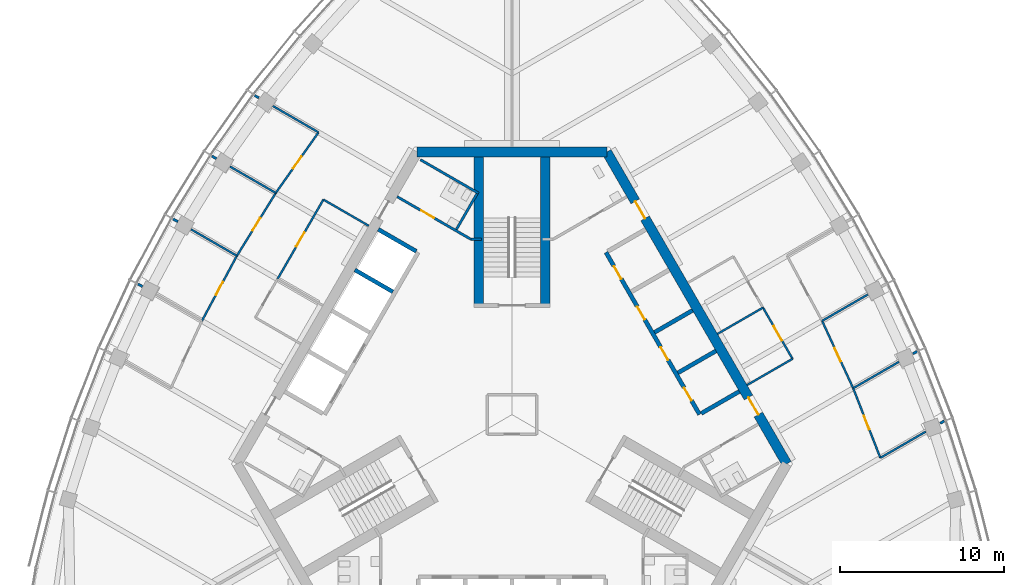
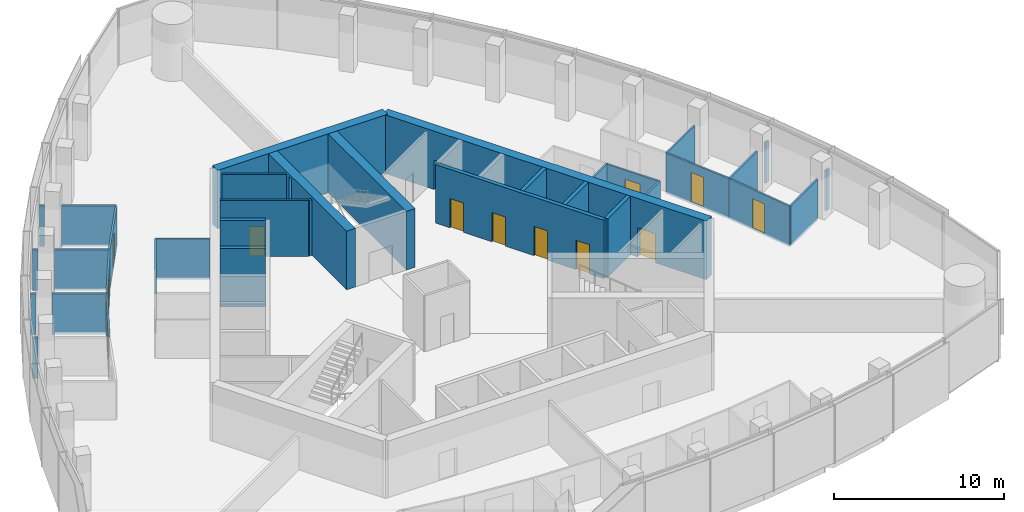
# One storey, part 10 of 16: 36 walls, 14 doors, 14 openings.
"""IFC4 building model written with IfcOpenShell, lengths in metres."""

from ifc_helpers import new_model, si_unit, direction, frame, frame_2d, origin, place, context, subcontext, project, spatial, rectangle, extrude, material, layer, layer_set, type_object, element, fill, save


model = new_model("IFC4")

# Units and contexts
model_context = context("Model", 3, precision=1e-05, world=origin(), true_north=direction((0.0, 1.0)))
body_context = subcontext(model_context, "Body", "Model", "MODEL_VIEW")
ifc_project = project(units=[si_unit("LENGTHUNIT", "METRE"), si_unit("AREAUNIT", "SQUARE_METRE"), si_unit("VOLUMEUNIT", "CUBIC_METRE"), si_unit("PLANEANGLEUNIT", "RADIAN"), si_unit("MASSUNIT", "GRAM", prefix="KILO")], contexts=[model_context])

# Site, building, storey
site_placement = place(None, origin())
site = spatial("IfcSite", under=ifc_project, at=site_placement, CompositionType="ELEMENT")
building_placement = place(site_placement, origin())
building = spatial("IfcBuilding", under=site, at=building_placement, Name="Trefoil Bronze Tower", CompositionType="ELEMENT")
storey_placement = place(building_placement, frame((0.0, 0.0, 305.699951171875)))
storey = spatial("IfcBuildingStorey", under=building, at=storey_placement, Name="L70", CompositionType="ELEMENT", Elevation=305.699951171875)

# Wall, openings, doors
ifc_material_1 = material(Name="Concrete B80", Category="concrete")
ifc_layer_1 = layer(ifc_material_1, 0.60009765625)
ifc_layer_set_1 = layer_set([ifc_layer_1], Name="Core wall 600")
wall_type_1 = type_object("IfcWallType", Name="Core wall 600", PredefinedType="SHEAR", material=ifc_layer_set_1)
wall_1_placement = place(storey_placement, frame((16.7431640625, -3.0, 0.0), z_axis=(0.0, 0.0, 1.0), x_axis=(-0.500002442456, 0.866023993627, 0.0)))
wall_1 = element("IfcWall", 1, at=wall_1_placement, inside=storey, type_object=wall_type_1, Name="Core long wall 2 L70", PredefinedType="SHEAR", context=body_context, shape_type="SweptSolid", body=[
    extrude(rectangle(XDim=21.939453125, YDim=0.60009765625, at=frame_2d((10.9697265625, 0.0))), origin(), (0.0, 0.0, 1.0), 4.199951171875),
])
opening_1_placement = place(wall_1_placement, frame((17.269775390625, 0.0, 0.0)))
opening_1 = element("IfcOpeningElement", 2, at=opening_1_placement, cuts=wall_1, Name="Opening D2", PredefinedType="OPENING", context=body_context, shape_type="SweptSolid", body=[
    extrude(rectangle(XDim=1.199951171875, YDim=2.10009765625, at=frame_2d((0.60009765625, 1.050048828125))), frame((0.0, 0.31005859375, 0.0), z_axis=(0.0, -1.0, 0.0), x_axis=(1.0, 0.0, 0.0)), (0.0, 0.0, 1.0), 0.6201171875),
])
opening_2_placement = place(wall_1_placement, frame((3.4697265625, 0.0, 0.0)))
opening_2 = element("IfcOpeningElement", 3, at=opening_2_placement, cuts=wall_1, Name="Opening D2", PredefinedType="OPENING", context=body_context, shape_type="SweptSolid", body=[
    extrude(rectangle(XDim=1.199951171875, YDim=2.10009765625, at=frame_2d((0.60009765625, 1.050048828125))), frame((0.0, 0.31005859375, 0.0), z_axis=(0.0, -1.0, 0.0), x_axis=(1.0, 0.0, 0.0)), (0.0, 0.0, 1.0), 0.6201171875),
])
ifc_material_2 = material(Name="Steel door", Category="steel")
door_type_1 = type_object("IfcDoorType", Name="Lobby door 1200", OperationType="SINGLE_SWING_RIGHT", PredefinedType="DOOR", material=ifc_material_2)
door_1_placement = place(opening_1_placement, origin())
door_1 = element("IfcDoor", 4, at=door_1_placement, inside=storey, type_object=door_type_1, Name="Lobby door F2+ L70", OperationType="SINGLE_SWING_RIGHT", OverallHeight=2.10009765625, OverallWidth=1.199951171875, PredefinedType="DOOR", context=body_context, shape_type="SweptSolid", body=[
    extrude(rectangle(XDim=1.199951171875, YDim=2.10009765625, at=frame_2d((0.60009765625, 1.050048828125))), frame((0.0, 0.02490234375, 0.0), z_axis=(0.0, -1.0, 0.0), x_axis=(1.0, 0.0, 0.0)), (0.0, 0.0, 1.0), 0.050048828125),
])
fill(opening_1, door_1)
door_2_placement = place(opening_2_placement, origin())
door_2 = element("IfcDoor", 5, at=door_2_placement, inside=storey, type_object=door_type_1, Name="Lobby door F2- L70", OperationType="SINGLE_SWING_LEFT", OverallHeight=2.10009765625, OverallWidth=1.199951171875, PredefinedType="DOOR", context=body_context, shape_type="SweptSolid", body=[
    extrude(rectangle(XDim=1.199951171875, YDim=2.10009765625, at=frame_2d((0.60009765625, 1.050048828125))), frame((0.0, 0.02490234375, 0.0), z_axis=(0.0, -1.0, 0.0), x_axis=(1.0, 0.0, 0.0)), (0.0, 0.0, 1.0), 0.050048828125),
])
fill(opening_2, door_2)

# Wall
wall_2_placement = place(storey_placement, frame((5.7734375, 16.0, 0.0), z_axis=(0.0, 0.0, 1.0), x_axis=(-1.0, 0.0, 0.0)))
element("IfcWall", 6, at=wall_2_placement, inside=storey, type_object=wall_type_1, Name="Core short wall 2 L70", PredefinedType="SHEAR", context=body_context, shape_type="SweptSolid", body=[
    extrude(rectangle(XDim=11.546875, YDim=0.60009765625, at=frame_2d((5.7734375, 0.0))), origin(), (0.0, 0.0, 1.0), 4.199951171875),
])

# Wall, opening, door
ifc_material_3 = material(Name="Glazed partition", Category="glass")
ifc_layer_2 = layer(ifc_material_3, 0.1201171875)
ifc_layer_set_2 = layer_set([ifc_layer_2], Name="Glazed partition 120")
wall_type_2 = type_object("IfcWallType", Name="Glazed partition 120", PredefinedType="PARTITIONING", material=ifc_layer_set_2)
wall_3_placement = place(storey_placement, frame((17.08935546875, 3.400146484375, 0.0), z_axis=(0.0, 0.0, 1.0), x_axis=(-0.499982693035, 0.866035395735, 0.0)))
wall_3 = element("IfcWall", 7, at=wall_3_placement, inside=storey, type_object=wall_type_2, Name="Partition F2 L70", PredefinedType="PARTITIONING", context=body_context, shape_type="SweptSolid", body=[
    extrude(rectangle(XDim=3.600341796875, YDim=0.1201171875, at=frame_2d((1.80029296875, 0.0))), origin(), (0.0, 0.0, 1.0), 2.900146484375),
])
opening_3_placement = place(wall_3_placement, frame((1.300048828125, 0.0, 0.14990234375)))
opening_3 = element("IfcOpeningElement", 8, at=opening_3_placement, cuts=wall_3, Name="Opening D9", PredefinedType="OPENING", context=body_context, shape_type="SweptSolid", body=[
    extrude(rectangle(XDim=1.0, YDim=2.10009765625, at=frame_2d((0.5, 1.050048828125))), frame((0.0, 0.070068359375, 0.0), z_axis=(0.0, -1.0, 0.0), x_axis=(1.0, 0.0, 0.0)), (0.0, 0.0, 1.0), 0.14013671875),
])
ifc_material_4 = material(Name="Glazed timber door", Category="wood")
door_type_2 = type_object("IfcDoorType", Name="Meeting room door 1000", OperationType="SINGLE_SWING_LEFT", PredefinedType="DOOR", material=ifc_material_4)
door_3_placement = place(opening_3_placement, origin())
door_3 = element("IfcDoor", 9, at=door_3_placement, inside=storey, type_object=door_type_2, Name="Meeting room door F2 L70", OperationType="SINGLE_SWING_RIGHT", OverallHeight=2.10009765625, OverallWidth=1.0, PredefinedType="DOOR", context=body_context, shape_type="SweptSolid", body=[
    extrude(rectangle(XDim=1.0, YDim=2.10009765625, at=frame_2d((0.5, 1.050048828125))), frame((0.0, 0.02490234375, 0.0), z_axis=(0.0, -1.0, 0.0), x_axis=(1.0, 0.0, 0.0)), (0.0, 0.0, 1.0), 0.050048828125),
])
fill(opening_3, door_3)

# Walls
for number, where, z_axis, x_axis, name in (
    (10, (12.51806640625, 4.91796875, 0.0), (0.0, 0.0, 1.0), (0.866008981251, 0.500028443584, 0.0), "Partition F2 L70"),
    (11, (14.318115234375, 1.80029296875, 0.0), (0.0, 0.0, 1.0), (0.866042017984, 0.499971222258, 0.0), "Partition F2 L70"),
):
    element("IfcWall", number, at=place(storey_placement, frame(where, z_axis=z_axis, x_axis=x_axis)), inside=storey, type_object=wall_type_2, Name=name, PredefinedType="PARTITIONING", context=body_context, shape_type="SweptSolid", body=[
        extrude(rectangle(XDim=3.199951171875, YDim=0.1201171875, at=frame_2d((1.60009765625, 0.0))), origin(), (0.0, 0.0, 1.0), 2.900146484375),
    ])

# Wall, opening, door
wall_4_placement = place(storey_placement, frame((22.439208984375, -2.63330078125, 0.0), z_axis=(0.0, 0.0, 1.0), x_axis=(-0.363212149153, 0.931706463811, 0.0)))
wall_4 = element("IfcWall", 12, at=wall_4_placement, inside=storey, type_object=wall_type_2, Name="Partition F2 L70", PredefinedType="PARTITIONING", context=body_context, shape_type="SweptSolid", body=[
    extrude(rectangle(XDim=4.552734375, YDim=0.1201171875, at=frame_2d((2.2763671875, 0.0))), origin(), (0.0, 0.0, 1.0), 2.900146484375),
])
opening_4_placement = place(wall_4_placement, frame((1.85009765625, 0.0, 0.14990234375)))
opening_4 = element("IfcOpeningElement", 13, at=opening_4_placement, cuts=wall_4, Name="Opening D8", PredefinedType="OPENING", context=body_context, shape_type="SweptSolid", body=[
    extrude(rectangle(XDim=0.89990234375, YDim=2.10009765625, at=frame_2d((0.449951171875, 1.050048828125))), frame((0.0, 0.070068359375, 0.0), z_axis=(0.0, -1.0, 0.0), x_axis=(1.0, 0.0, 0.0)), (0.0, 0.0, 1.0), 0.14013671875),
])
ifc_material_5 = material(Name="Timber door", Category="wood")
door_type_3 = type_object("IfcDoorType", Name="Office door 900", OperationType="SINGLE_SWING_LEFT", PredefinedType="DOOR", material=ifc_material_5)
door_4_placement = place(opening_4_placement, frame((0.89990234375, 0.0, 0.0), z_axis=(0.0, 0.0, 1.0), x_axis=(-1.0, 0.0, 0.0)))
door_4 = element("IfcDoor", 14, at=door_4_placement, inside=storey, type_object=door_type_3, Name="Office door F2 L70", OperationType="SINGLE_SWING_LEFT", OverallHeight=2.10009765625, OverallWidth=0.89990234375, PredefinedType="DOOR", context=body_context, shape_type="SweptSolid", body=[
    extrude(rectangle(XDim=0.89990234375, YDim=2.10009765625, at=frame_2d((0.449951171875, 1.050048828125))), frame((0.0, 0.02490234375, 0.0), z_axis=(0.0, -1.0, 0.0), x_axis=(1.0, 0.0, 0.0)), (0.0, 0.0, 1.0), 0.050048828125),
])
fill(opening_4, door_4)

wall_5_placement = place(storey_placement, frame((20.78564453125, 1.6083984375, 0.0), z_axis=(0.0, 0.0, 1.0), x_axis=(-0.419335693458, 0.907831248742, 0.0)))
wall_5 = element("IfcWall", 15, at=wall_5_placement, inside=storey, type_object=wall_type_2, Name="Partition F2 L70", PredefinedType="PARTITIONING", context=body_context, shape_type="SweptSolid", body=[
    extrude(rectangle(XDim=4.5185546875, YDim=0.1201171875, at=frame_2d((2.25927734375, 0.0))), origin(), (0.0, 0.0, 1.0), 2.900146484375),
])
opening_5_placement = place(wall_5_placement, frame((1.800048828125, 0.0, 0.14990234375)))
opening_5 = element("IfcOpeningElement", 16, at=opening_5_placement, cuts=wall_5, Name="Opening D8", PredefinedType="OPENING", context=body_context, shape_type="SweptSolid", body=[
    extrude(rectangle(XDim=0.89990234375, YDim=2.10009765625, at=frame_2d((0.449951171875, 1.050048828125))), frame((0.0, 0.070068359375, 0.0), z_axis=(0.0, -1.0, 0.0), x_axis=(1.0, 0.0, 0.0)), (0.0, 0.0, 1.0), 0.14013671875),
])
door_5_placement = place(opening_5_placement, frame((0.89990234375, 0.0, 0.0), z_axis=(0.0, 0.0, 1.0), x_axis=(-1.0, 0.0, 0.0)))
door_5 = element("IfcDoor", 17, at=door_5_placement, inside=storey, type_object=door_type_3, Name="Office door F2 L70", OperationType="SINGLE_SWING_RIGHT", OverallHeight=2.10009765625, OverallWidth=0.89990234375, PredefinedType="DOOR", context=body_context, shape_type="SweptSolid", body=[
    extrude(rectangle(XDim=0.89990234375, YDim=2.10009765625, at=frame_2d((0.449951171875, 1.050048828125))), frame((0.0, 0.02490234375, 0.0), z_axis=(0.0, -1.0, 0.0), x_axis=(1.0, 0.0, 0.0)), (0.0, 0.0, 1.0), 0.050048828125),
])
fill(opening_5, door_5)

# Walls
wall_6_placement = place(storey_placement, frame((22.439208984375, -2.63330078125, 0.0), z_axis=(0.0, 0.0, 1.0), x_axis=(0.866012717091, 0.500021973353, 0.0)))
element("IfcWall", 18, at=wall_6_placement, inside=storey, type_object=wall_type_2, Name="Partition F2 L70", PredefinedType="PARTITIONING", context=body_context, shape_type="SweptSolid", body=[
    extrude(rectangle(XDim=3.198486328125, YDim=0.1201171875, at=frame_2d((1.59912109375, 0.0))), origin(), (0.0, 0.0, 1.0), 2.900146484375),
])
wall_7_placement = place(storey_placement, frame((18.890869140625, 5.71044921875, 0.0), z_axis=(0.0, 0.0, 1.0), x_axis=(0.866021328928, 0.500007057792, 0.0)))
element("IfcWall", 19, at=wall_7_placement, inside=storey, type_object=wall_type_2, Name="Partition F2 L70", PredefinedType="PARTITIONING", context=body_context, shape_type="SweptSolid", body=[
    extrude(rectangle(XDim=3.2177734375, YDim=0.1201171875, at=frame_2d((1.60888671875, 0.0))), origin(), (0.0, 0.0, 1.0), 2.900146484375),
])
wall_8_placement = place(storey_placement, frame((20.78564453125, 1.6083984375, 0.0), z_axis=(0.0, 0.0, 1.0), x_axis=(0.866039964284, 0.499974779627, 0.0)))
element("IfcWall", 20, at=wall_8_placement, inside=storey, type_object=wall_type_2, Name="Partition F2 L70", PredefinedType="PARTITIONING", context=body_context, shape_type="SweptSolid", body=[
    extrude(rectangle(XDim=3.210693359375, YDim=0.1201171875, at=frame_2d((1.60546875, 0.0))), origin(), (0.0, 0.0, 1.0), 2.900146484375),
])

# Wall, opening, door
wall_9_placement = place(storey_placement, frame((-11.489501953125, 13.099853515625, 0.0), z_axis=(0.0, 0.0, 1.0), x_axis=(-0.499965239061, -0.866045472092, 0.0)))
wall_9 = element("IfcWall", 21, at=wall_9_placement, inside=storey, type_object=wall_type_2, Name="Partition F3 L70", PredefinedType="PARTITIONING", context=body_context, shape_type="SweptSolid", body=[
    extrude(rectangle(XDim=5.60009765625, YDim=0.1201171875, at=frame_2d((2.800048828125, 0.0))), origin(), (0.0, 0.0, 1.0), 2.900146484375),
])
opening_6_placement = place(wall_9_placement, frame((2.300048828125, 0.0, 0.14990234375)))
opening_6 = element("IfcOpeningElement", 22, at=opening_6_placement, cuts=wall_9, Name="Opening D9", PredefinedType="OPENING", context=body_context, shape_type="SweptSolid", body=[
    extrude(rectangle(XDim=1.0, YDim=2.10009765625, at=frame_2d((0.5, 1.050048828125))), frame((0.0, 0.070068359375, 0.0), z_axis=(0.0, -1.0, 0.0), x_axis=(1.0, 0.0, 0.0)), (0.0, 0.0, 1.0), 0.14013671875),
])
door_6_placement = place(opening_6_placement, origin())
door_6 = element("IfcDoor", 23, at=door_6_placement, inside=storey, type_object=door_type_2, Name="Meeting room door F3 L70", OperationType="SINGLE_SWING_RIGHT", OverallHeight=2.10009765625, OverallWidth=1.0, PredefinedType="DOOR", context=body_context, shape_type="SweptSolid", body=[
    extrude(rectangle(XDim=1.0, YDim=2.10009765625, at=frame_2d((0.5, 1.050048828125))), frame((0.0, 0.02490234375, 0.0), z_axis=(0.0, -1.0, 0.0), x_axis=(1.0, 0.0, 0.0)), (0.0, 0.0, 1.0), 0.050048828125),
])
fill(opening_6, door_6)

# Wall
wall_10_placement = place(storey_placement, frame((-8.718017578125, 11.499755859375, 0.0), z_axis=(0.0, 0.0, 1.0), x_axis=(-0.866028054938, 0.499995408039, 0.0)))
element("IfcWall", 24, at=wall_10_placement, inside=storey, type_object=wall_type_2, Name="Partition F3 L70", PredefinedType="PARTITIONING", context=body_context, shape_type="SweptSolid", body=[
    extrude(rectangle(XDim=3.2001953125, YDim=0.1201171875, at=frame_2d((1.60009765625, 0.0))), origin(), (0.0, 0.0, 1.0), 2.900146484375),
])

# Wall, opening, door
wall_11_placement = place(storey_placement, frame((-16.759033203125, 9.67578125, 0.0), z_axis=(0.0, 0.0, 1.0), x_axis=(-0.473524102582, -0.880780860529, 0.0)))
wall_11 = element("IfcWall", 25, at=wall_11_placement, inside=storey, type_object=wall_type_2, Name="Partition F3 L70", PredefinedType="PARTITIONING", context=body_context, shape_type="SweptSolid", body=[
    extrude(rectangle(XDim=4.501953125, YDim=0.1201171875, at=frame_2d((2.2509765625, 0.0))), origin(), (0.0, 0.0, 1.0), 2.900146484375),
])
opening_7_placement = place(wall_11_placement, frame((1.800048828125, 0.0, 0.14990234375)))
opening_7 = element("IfcOpeningElement", 26, at=opening_7_placement, cuts=wall_11, Name="Opening D8", PredefinedType="OPENING", context=body_context, shape_type="SweptSolid", body=[
    extrude(rectangle(XDim=0.89990234375, YDim=2.10009765625, at=frame_2d((0.449951171875, 1.050048828125))), frame((0.0, 0.070068359375, 0.0), z_axis=(0.0, -1.0, 0.0), x_axis=(1.0, 0.0, 0.0)), (0.0, 0.0, 1.0), 0.14013671875),
])
door_7_placement = place(opening_7_placement, frame((0.89990234375, 0.0, 0.0), z_axis=(0.0, 0.0, 1.0), x_axis=(-1.0, 0.0, 0.0)))
door_7 = element("IfcDoor", 27, at=door_7_placement, inside=storey, type_object=door_type_3, Name="Office door F3 L70", OperationType="SINGLE_SWING_RIGHT", OverallHeight=2.10009765625, OverallWidth=0.89990234375, PredefinedType="DOOR", context=body_context, shape_type="SweptSolid", body=[
    extrude(rectangle(XDim=0.89990234375, YDim=2.10009765625, at=frame_2d((0.449951171875, 1.050048828125))), frame((0.0, 0.02490234375, 0.0), z_axis=(0.0, -1.0, 0.0), x_axis=(1.0, 0.0, 0.0)), (0.0, 0.0, 1.0), 0.050048828125),
])
fill(opening_7, door_7)

wall_12_placement = place(storey_placement, frame((-14.390869140625, 13.5048828125, 0.0), z_axis=(0.0, 0.0, 1.0), x_axis=(-0.525996140194, -0.850486954927, 0.0)))
wall_12 = element("IfcWall", 28, at=wall_12_placement, inside=storey, type_object=wall_type_2, Name="Partition F3 L70", PredefinedType="PARTITIONING", context=body_context, shape_type="SweptSolid", body=[
    extrude(rectangle(XDim=4.502197265625, YDim=0.1201171875, at=frame_2d((2.2509765625, 0.0))), origin(), (0.0, 0.0, 1.0), 2.900146484375),
])
opening_8_placement = place(wall_12_placement, frame((1.800048828125, 0.0, 0.14990234375)))
opening_8 = element("IfcOpeningElement", 29, at=opening_8_placement, cuts=wall_12, Name="Opening D8", PredefinedType="OPENING", context=body_context, shape_type="SweptSolid", body=[
    extrude(rectangle(XDim=0.89990234375, YDim=2.10009765625, at=frame_2d((0.449951171875, 1.050048828125))), frame((0.0, 0.070068359375, 0.0), z_axis=(0.0, -1.0, 0.0), x_axis=(1.0, 0.0, 0.0)), (0.0, 0.0, 1.0), 0.14013671875),
])
door_8_placement = place(opening_8_placement, frame((0.89990234375, 0.0, 0.0), z_axis=(0.0, 0.0, 1.0), x_axis=(-1.0, 0.0, 0.0)))
door_8 = element("IfcDoor", 30, at=door_8_placement, inside=storey, type_object=door_type_3, Name="Office door F3 L70", OperationType="SINGLE_SWING_RIGHT", OverallHeight=2.10009765625, OverallWidth=0.89990234375, PredefinedType="DOOR", context=body_context, shape_type="SweptSolid", body=[
    extrude(rectangle(XDim=0.89990234375, YDim=2.10009765625, at=frame_2d((0.449951171875, 1.050048828125))), frame((0.0, 0.02490234375, 0.0), z_axis=(0.0, -1.0, 0.0), x_axis=(1.0, 0.0, 0.0)), (0.0, 0.0, 1.0), 0.050048828125),
])
fill(opening_8, door_8)

wall_13_placement = place(storey_placement, frame((-11.78564453125, 17.19677734375, 0.0), z_axis=(0.0, 0.0, 1.0), x_axis=(-0.576562277172, -0.817053205454, 0.0)))
wall_13 = element("IfcWall", 31, at=wall_13_placement, inside=storey, type_object=wall_type_2, Name="Partition F3 L70", PredefinedType="PARTITIONING", context=body_context, shape_type="SweptSolid", body=[
    extrude(rectangle(XDim=4.5185546875, YDim=0.1201171875, at=frame_2d((2.25927734375, 0.0))), origin(), (0.0, 0.0, 1.0), 2.900146484375),
])
opening_9_placement = place(wall_13_placement, frame((1.800048828125, 0.0, 0.14990234375)))
opening_9 = element("IfcOpeningElement", 32, at=opening_9_placement, cuts=wall_13, Name="Opening D8", PredefinedType="OPENING", context=body_context, shape_type="SweptSolid", body=[
    extrude(rectangle(XDim=0.89990234375, YDim=2.10009765625, at=frame_2d((0.449951171875, 1.050048828125))), frame((0.0, 0.070068359375, 0.0), z_axis=(0.0, -1.0, 0.0), x_axis=(1.0, 0.0, 0.0)), (0.0, 0.0, 1.0), 0.14013671875),
])
door_9_placement = place(opening_9_placement, frame((0.89990234375, 0.0, 0.0), z_axis=(0.0, 0.0, 1.0), x_axis=(-1.0, 0.0, 0.0)))
door_9 = element("IfcDoor", 33, at=door_9_placement, inside=storey, type_object=door_type_3, Name="Office door F3 L70", OperationType="SINGLE_SWING_RIGHT", OverallHeight=2.10009765625, OverallWidth=0.89990234375, PredefinedType="DOOR", context=body_context, shape_type="SweptSolid", body=[
    extrude(rectangle(XDim=0.89990234375, YDim=2.10009765625, at=frame_2d((0.449951171875, 1.050048828125))), frame((0.0, 0.02490234375, 0.0), z_axis=(0.0, -1.0, 0.0), x_axis=(1.0, 0.0, 0.0)), (0.0, 0.0, 1.0), 0.050048828125),
])
fill(opening_9, door_9)

# Walls
wall_14_placement = place(storey_placement, frame((-16.759033203125, 9.67578125, 0.0), z_axis=(0.0, 0.0, 1.0), x_axis=(-0.866008816382, 0.500028729123, 0.0)))
element("IfcWall", 34, at=wall_14_placement, inside=storey, type_object=wall_type_2, Name="Partition F3 L70", PredefinedType="PARTITIONING", context=body_context, shape_type="SweptSolid", body=[
    extrude(rectangle(XDim=3.219970703125, YDim=0.1201171875, at=frame_2d((1.60986328125, 0.0))), origin(), (0.0, 0.0, 1.0), 2.900146484375),
])
wall_15_placement = place(storey_placement, frame((-14.390869140625, 13.5048828125, 0.0), z_axis=(0.0, 0.0, 1.0), x_axis=(-0.866054182849, 0.499950149885, 0.0)))
element("IfcWall", 35, at=wall_15_placement, inside=storey, type_object=wall_type_2, Name="Partition F3 L70", PredefinedType="PARTITIONING", context=body_context, shape_type="SweptSolid", body=[
    extrude(rectangle(XDim=3.217529296875, YDim=0.1201171875, at=frame_2d((1.60888671875, 0.0))), origin(), (0.0, 0.0, 1.0), 2.900146484375),
])
wall_16_placement = place(storey_placement, frame((-11.78564453125, 17.19677734375, 0.0), z_axis=(0.0, 0.0, 1.0), x_axis=(-0.866039964284, 0.499974779627, 0.0)))
element("IfcWall", 36, at=wall_16_placement, inside=storey, type_object=wall_type_2, Name="Partition F3 L70", PredefinedType="PARTITIONING", context=body_context, shape_type="SweptSolid", body=[
    extrude(rectangle(XDim=3.210693359375, YDim=0.1201171875, at=frame_2d((1.60546875, 0.0))), origin(), (0.0, 0.0, 1.0), 2.900146484375),
])

# Wall, opening, door
ifc_material_6 = material(Name="Gypsum board on steel studs", Category="steel")
ifc_layer_3 = layer(ifc_material_6, 0.14990234375)
ifc_layer_set_3 = layer_set([ifc_layer_3], Name="Partition 150")
wall_type_3 = type_object("IfcWallType", Name="Partition 150", PredefinedType="PARTITIONING", material=ifc_layer_set_3)
wall_17_placement = place(storey_placement, frame((-2.4951171875, 10.67822265625, 0.0), z_axis=(0.0, 0.0, 1.0), x_axis=(-0.866021400173, 0.500006934395, 0.0)))
wall_17 = element("IfcWall", 37, at=wall_17_placement, inside=storey, type_object=wall_type_3, Name="Passage wall F3- L70", PredefinedType="PARTITIONING", context=body_context, shape_type="SweptSolid", body=[
    extrude(rectangle(XDim=5.2001953125, YDim=0.14990234375, at=frame_2d((2.60009765625, 0.0))), origin(), (0.0, 0.0, 1.0), 4.0),
])
opening_10_placement = place(wall_17_placement, frame((2.60009765625, 0.0, 0.0)))
opening_10 = element("IfcOpeningElement", 38, at=opening_10_placement, cuts=wall_17, Name="Opening D3", PredefinedType="OPENING", context=body_context, shape_type="SweptSolid", body=[
    extrude(rectangle(XDim=0.89990234375, YDim=2.10009765625, at=frame_2d((0.449951171875, 1.050048828125))), frame((0.0, 0.0849609375, 0.0), z_axis=(0.0, -1.0, 0.0), x_axis=(1.0, 0.0, 0.0)), (0.0, 0.0, 1.0), 0.169921875),
])
ifc_material_7 = material(Name="Timber door", Category="wood")
door_type_4 = type_object("IfcDoorType", Name="WC door 900", OperationType="SINGLE_SWING_LEFT", PredefinedType="DOOR", material=ifc_material_7)
door_10_placement = place(opening_10_placement, frame((0.89990234375, 0.0, 0.0), z_axis=(0.0, 0.0, 1.0), x_axis=(-1.0, 0.0, 0.0)))
door_10 = element("IfcDoor", 39, at=door_10_placement, inside=storey, type_object=door_type_4, Name="WC (women) door L70", OperationType="SINGLE_SWING_RIGHT", OverallHeight=2.10009765625, OverallWidth=0.89990234375, PredefinedType="DOOR", context=body_context, shape_type="SweptSolid", body=[
    extrude(rectangle(XDim=0.89990234375, YDim=2.10009765625, at=frame_2d((0.449951171875, 1.050048828125))), frame((0.0, 0.02490234375, 0.0), z_axis=(0.0, -1.0, 0.0), x_axis=(1.0, 0.0, 0.0)), (0.0, 0.0, 1.0), 0.050048828125),
])
fill(opening_10, door_10)

# Walls
wall_18_placement = place(storey_placement, frame((-2.4951171875, 10.67822265625, 0.0), z_axis=(0.0, 0.0, 1.0), x_axis=(1.0, 0.0, 0.0)))
element("IfcWall", 40, at=wall_18_placement, inside=storey, type_object=wall_type_3, Name="WC wall ST2+1 L70", PredefinedType="PARTITIONING", context=body_context, shape_type="SweptSolid", body=[
    extrude(rectangle(XDim=0.64501953125, YDim=0.14990234375, at=frame_2d((0.322509765625, 0.0))), origin(), (0.0, 0.0, 1.0), 4.0),
])
wall_19_placement = place(storey_placement, frame((-2.03125, 13.48193359375, 0.0), z_axis=(0.0, 0.0, 1.0), x_axis=(-0.866050731258, 0.499956128963, 0.0)))
element("IfcWall", 41, at=wall_19_placement, inside=storey, type_object=wall_type_3, Name="WC partition WC (women) L70", PredefinedType="PARTITIONING", context=body_context, shape_type="SweptSolid", body=[
    extrude(rectangle(XDim=4.099853515625, YDim=0.14990234375, at=frame_2d((2.0498046875, 0.0))), origin(), (0.0, 0.0, 1.0), 4.0),
])
wall_20_placement = place(storey_placement, frame((-3.388671875, 11.28076171875, 0.0), z_axis=(0.0, 0.0, 1.0), x_axis=(0.499989096993, 0.866031698547, 0.0)))
element("IfcWall", 42, at=wall_20_placement, inside=storey, type_object=wall_type_3, Name="WC partition WC (women) L70", PredefinedType="PARTITIONING", context=body_context, shape_type="SweptSolid", body=[
    extrude(rectangle(XDim=2.509765625, YDim=0.14990234375, at=frame_2d((1.2548828125, 0.0))), origin(), (0.0, 0.0, 1.0), 4.0),
])
wall_21_placement = place(storey_placement, frame((26.08935546875, -0.52587890625, 0.0), z_axis=(0.0, 0.0, 1.0), x_axis=(0.865982457891, 0.500074377092, 0.0)))
element("IfcWall", 43, at=wall_21_placement, inside=storey, type_object=wall_type_3, Name="Partition F2 L70", PredefinedType="PARTITIONING", context=body_context, shape_type="SweptSolid", body=[
    extrude(rectangle(XDim=0.2802734375, YDim=0.14990234375, at=frame_2d((0.14013671875, 0.0))), origin(), (0.0, 0.0, 1.0), 2.900146484375),
])
wall_22_placement = place(storey_placement, frame((24.42236328125, 3.7080078125, 0.0), z_axis=(0.0, 0.0, 1.0), x_axis=(0.866254317358, 0.499603300288, 0.0)))
element("IfcWall", 44, at=wall_22_placement, inside=storey, type_object=wall_type_3, Name="Partition F2 L70", PredefinedType="PARTITIONING", context=body_context, shape_type="SweptSolid", body=[
    extrude(rectangle(XDim=0.295654296875, YDim=0.14990234375, at=frame_2d((0.14794921875, 0.0))), origin(), (0.0, 0.0, 1.0), 2.900146484375),
])
wall_23_placement = place(storey_placement, frame((-20.3564453125, 11.752685546875, 0.0), z_axis=(0.0, 0.0, 1.0), x_axis=(-0.865899514186, 0.500217983815, 0.0)))
element("IfcWall", 45, at=wall_23_placement, inside=storey, type_object=wall_type_3, Name="Partition F3 L70", PredefinedType="PARTITIONING", context=body_context, shape_type="SweptSolid", body=[
    extrude(rectangle(XDim=0.341064453125, YDim=0.14990234375, at=frame_2d((0.17041015625, 0.0))), origin(), (0.0, 0.0, 1.0), 2.900146484375),
])
for number, where, z_axis, x_axis, name in (
    (46, (-22.510009765625, 7.800048828125, 0.0), (0.0, 0.0, 1.0), (-0.866095534226, 0.499878510834, 0.0), "Partition F3 L70"),
    (47, (-18.010009765625, 15.59423828125, 0.0), (0.0, 0.0, 1.0), (-0.866095534226, 0.499878510834, 0.0), "Partition F3 L70"),
):
    element("IfcWall", number, at=place(storey_placement, frame(where, z_axis=z_axis, x_axis=x_axis)), inside=storey, type_object=wall_type_3, Name=name, PredefinedType="PARTITIONING", context=body_context, shape_type="SweptSolid", body=[
        extrude(rectangle(XDim=0.31591796875, YDim=0.14990234375, at=frame_2d((0.157958984375, 0.0))), origin(), (0.0, 0.0, 1.0), 2.900146484375),
    ])
wall_24_placement = place(storey_placement, frame((-15.42236328125, 19.29638671875, 0.0), z_axis=(0.0, 0.0, 1.0), x_axis=(-0.865896854829, 0.500222587251, 0.0)))
element("IfcWall", 48, at=wall_24_placement, inside=storey, type_object=wall_type_3, Name="Partition F3 L70", PredefinedType="PARTITIONING", context=body_context, shape_type="SweptSolid", body=[
    extrude(rectangle(XDim=0.295654296875, YDim=0.14990234375, at=frame_2d((0.14794921875, 0.0))), origin(), (0.0, 0.0, 1.0), 2.900146484375),
])

# Wall, openings, doors
ifc_material_8 = material(Name="Concrete B80", Category="concrete")
ifc_layer_4 = layer(ifc_material_8, 0.25)
ifc_layer_set_4 = layer_set([ifc_layer_4], Name="Shaft wall 250")
wall_type_4 = type_object("IfcWallType", Name="Shaft wall 250", PredefinedType="SHEAR", material=ifc_layer_set_4)
wall_25_placement = place(storey_placement, frame((11.423583984375, 0.013671875, 0.0), z_axis=(0.0, 0.0, 1.0), x_axis=(-0.500001763848, 0.866024385424, 0.0)))
wall_25 = element("IfcWall", 49, at=wall_25_placement, inside=storey, type_object=wall_type_4, Name="Lift shaft front wall B L70", PredefinedType="SHEAR", context=body_context, shape_type="SweptSolid", body=[
    extrude(rectangle(XDim=11.39990234375, YDim=0.25, at=frame_2d((5.699951171875, 0.0))), origin(), (0.0, 0.0, 1.0), 4.199951171875),
])
opening_11_placement = place(wall_25_placement, frame((0.97509765625, 0.0, 0.0)))
opening_11 = element("IfcOpeningElement", 50, at=opening_11_placement, cuts=wall_25, Name="Opening D12", PredefinedType="OPENING", context=body_context, shape_type="SweptSolid", body=[
    extrude(rectangle(XDim=0.89990234375, YDim=2.10009765625, at=frame_2d((0.449951171875, 1.050048828125))), frame((0.0, 0.135009765625, 0.0), z_axis=(0.0, -1.0, 0.0), x_axis=(1.0, 0.0, 0.0)), (0.0, 0.0, 1.0), 0.27001953125),
])
opening_12_placement = place(wall_25_placement, frame((3.824951171875, 0.0, 0.0)))
opening_12 = element("IfcOpeningElement", 51, at=opening_12_placement, cuts=wall_25, Name="Opening D12", PredefinedType="OPENING", context=body_context, shape_type="SweptSolid", body=[
    extrude(rectangle(XDim=0.89990234375, YDim=2.10009765625, at=frame_2d((0.449951171875, 1.050048828125))), frame((0.0, 0.135009765625, 0.0), z_axis=(0.0, -1.0, 0.0), x_axis=(1.0, 0.0, 0.0)), (0.0, 0.0, 1.0), 0.27001953125),
])
opening_13_placement = place(wall_25_placement, frame((6.675048828125, 0.0, 0.0)))
opening_13 = element("IfcOpeningElement", 52, at=opening_13_placement, cuts=wall_25, Name="Opening D12", PredefinedType="OPENING", context=body_context, shape_type="SweptSolid", body=[
    extrude(rectangle(XDim=0.89990234375, YDim=2.10009765625, at=frame_2d((0.449951171875, 1.050048828125))), frame((0.0, 0.135009765625, 0.0), z_axis=(0.0, -1.0, 0.0), x_axis=(1.0, 0.0, 0.0)), (0.0, 0.0, 1.0), 0.27001953125),
])
opening_14_placement = place(wall_25_placement, frame((9.52490234375, 0.0, 0.0)))
opening_14 = element("IfcOpeningElement", 53, at=opening_14_placement, cuts=wall_25, Name="Opening D12", PredefinedType="OPENING", context=body_context, shape_type="SweptSolid", body=[
    extrude(rectangle(XDim=0.89990234375, YDim=2.10009765625, at=frame_2d((0.449951171875, 1.050048828125))), frame((0.0, 0.135009765625, 0.0), z_axis=(0.0, -1.0, 0.0), x_axis=(1.0, 0.0, 0.0)), (0.0, 0.0, 1.0), 0.27001953125),
])
ifc_material_9 = material(Name="Steel door", Category="steel")
door_type_5 = type_object("IfcDoorType", Name="Shaft room door 900", OperationType="SINGLE_SWING_LEFT", PredefinedType="DOOR", material=ifc_material_9)
door_11_placement = place(opening_11_placement, frame((0.89990234375, 0.0, 0.0), z_axis=(0.0, 0.0, 1.0), x_axis=(-1.0, 0.0, 0.0)))
door_11 = element("IfcDoor", 54, at=door_11_placement, inside=storey, type_object=door_type_5, Name="Shaft room door B1 L70", OperationType="SINGLE_SWING_LEFT", OverallHeight=2.10009765625, OverallWidth=0.89990234375, PredefinedType="DOOR", context=body_context, shape_type="SweptSolid", body=[
    extrude(rectangle(XDim=0.89990234375, YDim=2.10009765625, at=frame_2d((0.449951171875, 1.050048828125))), frame((0.0, 0.02490234375, 0.0), z_axis=(0.0, -1.0, 0.0), x_axis=(1.0, 0.0, 0.0)), (0.0, 0.0, 1.0), 0.050048828125),
])
fill(opening_11, door_11)
door_12_placement = place(opening_12_placement, frame((0.89990234375, 0.0, 0.0), z_axis=(0.0, 0.0, 1.0), x_axis=(-1.0, 0.0, 0.0)))
door_12 = element("IfcDoor", 55, at=door_12_placement, inside=storey, type_object=door_type_5, Name="Shaft room door B2 L70", OperationType="SINGLE_SWING_RIGHT", OverallHeight=2.10009765625, OverallWidth=0.89990234375, PredefinedType="DOOR", context=body_context, shape_type="SweptSolid", body=[
    extrude(rectangle(XDim=0.89990234375, YDim=2.10009765625, at=frame_2d((0.449951171875, 1.050048828125))), frame((0.0, 0.02490234375, 0.0), z_axis=(0.0, -1.0, 0.0), x_axis=(1.0, 0.0, 0.0)), (0.0, 0.0, 1.0), 0.050048828125),
])
fill(opening_12, door_12)
door_13_placement = place(opening_13_placement, frame((0.89990234375, 0.0, 0.0), z_axis=(0.0, 0.0, 1.0), x_axis=(-1.0, 0.0, 0.0)))
door_13 = element("IfcDoor", 56, at=door_13_placement, inside=storey, type_object=door_type_5, Name="Shaft room door B3 L70", OperationType="SINGLE_SWING_RIGHT", OverallHeight=2.10009765625, OverallWidth=0.89990234375, PredefinedType="DOOR", context=body_context, shape_type="SweptSolid", body=[
    extrude(rectangle(XDim=0.89990234375, YDim=2.10009765625, at=frame_2d((0.449951171875, 1.050048828125))), frame((0.0, 0.02490234375, 0.0), z_axis=(0.0, -1.0, 0.0), x_axis=(1.0, 0.0, 0.0)), (0.0, 0.0, 1.0), 0.050048828125),
])
fill(opening_13, door_13)
door_14_placement = place(opening_14_placement, frame((0.89990234375, 0.0, 0.0), z_axis=(0.0, 0.0, 1.0), x_axis=(-1.0, 0.0, 0.0)))
door_14 = element("IfcDoor", 57, at=door_14_placement, inside=storey, type_object=door_type_5, Name="Shaft room door B4 L70", OperationType="SINGLE_SWING_RIGHT", OverallHeight=2.10009765625, OverallWidth=0.89990234375, PredefinedType="DOOR", context=body_context, shape_type="SweptSolid", body=[
    extrude(rectangle(XDim=0.89990234375, YDim=2.10009765625, at=frame_2d((0.449951171875, 1.050048828125))), frame((0.0, 0.02490234375, 0.0), z_axis=(0.0, -1.0, 0.0), x_axis=(1.0, 0.0, 0.0)), (0.0, 0.0, 1.0), 0.050048828125),
])
fill(opening_14, door_14)

# Walls
for number, where, z_axis, x_axis, name in (
    (58, (11.531982421875, 0.076171875, 0.0), (0.0, 0.0, 1.0), (0.86604424267, 0.499967368674, 0.0), "Lift shaft side wall B0 L70"),
    (59, (10.10693359375, 2.54443359375, 0.0), (0.0, 0.0, 1.0), (0.86604424267, 0.499967368674, 0.0), "Lift shaft side wall B1 L70"),
    (60, (8.681884765625, 5.012451171875, 0.0), (0.0, 0.0, 1.0), (0.866004723184, 0.50003581814, 0.0), "Lift shaft side wall B2 L70"),
    (61, (-5.831787109375, 9.94873046875, 0.0), (0.0, 0.0, 1.0), (-0.866004723184, 0.50003581814, 0.0), "Lift shaft side wall C0 L70"),
    (62, (-7.2568359375, 7.480712890625, 0.0), (0.0, 0.0, 1.0), (-0.86604424267, 0.499967368674, 0.0), "Lift shaft side wall C1 L70"),
):
    element("IfcWall", number, at=place(storey_placement, frame(where, z_axis=z_axis, x_axis=x_axis)), inside=storey, type_object=wall_type_4, Name=name, PredefinedType="SHEAR", context=body_context, shape_type="SweptSolid", body=[
        extrude(rectangle(XDim=2.675048828125, YDim=0.25, at=frame_2d((1.33740234375, 0.0))), origin(), (0.0, 0.0, 1.0), 4.199951171875),
    ])
ifc_material_10 = material(Name="Concrete B80", Category="concrete")
ifc_layer_5 = layer(ifc_material_10, 0.60009765625)
ifc_layer_set_5 = layer_set([ifc_layer_5], Name="Stair wall 600")
wall_type_5 = type_object("IfcWallType", Name="Stair wall 600", PredefinedType="SHEAR", material=ifc_layer_set_5)
for number, where, z_axis, x_axis, name in (
    (63, (2.02490234375, 6.52490234375, 0.0), (0.0, 0.0, 1.0), (0.0, 1.0, 0.0), "Stair wall ST2 L70"),
    (64, (-2.02490234375, 6.52490234375, 0.0), (0.0, 0.0, 1.0), (0.0, 1.0, 0.0), "Stair wall ST2 L70"),
):
    element("IfcWall", number, at=place(storey_placement, frame(where, z_axis=z_axis, x_axis=x_axis)), inside=storey, type_object=wall_type_5, Name=name, PredefinedType="SHEAR", context=body_context, shape_type="SweptSolid", body=[
        extrude(rectangle(XDim=9.175048828125, YDim=0.60009765625, at=frame_2d((4.58740234375, 0.0))), origin(), (0.0, 0.0, 1.0), 4.199951171875),
    ])

save(model, "model.ifc")
